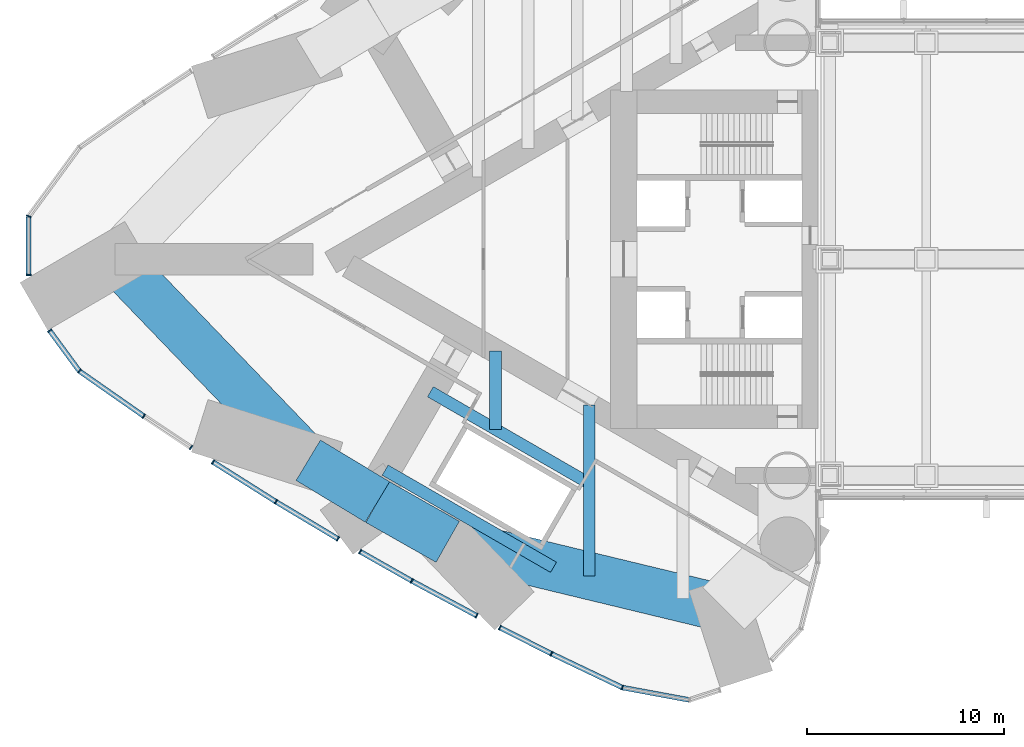
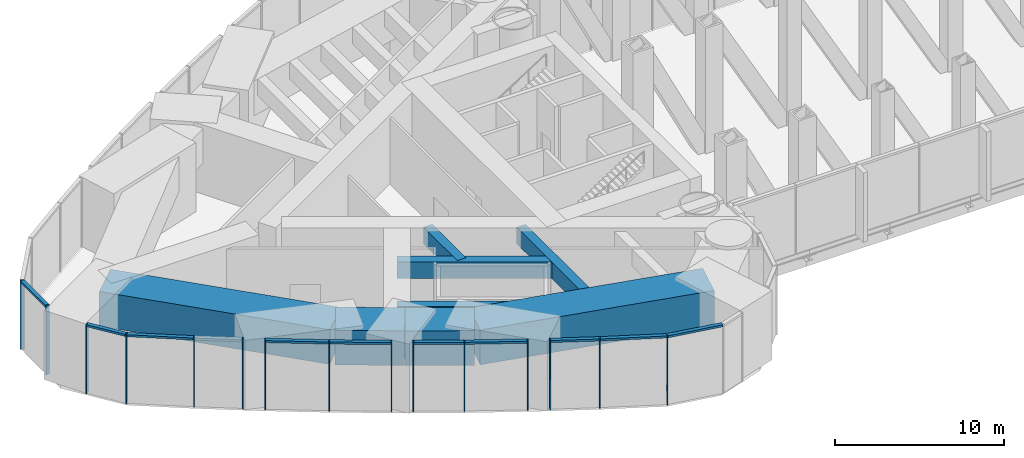
# One storey, part 2 of 21: 25 members, 8 beams, 5 elements without a shape of their own.
"""IFC4 building model written with IfcOpenShell, lengths in metres."""

from ifc_helpers import new_model, si_unit, direction, frame, origin, origin_2d, place, context, subcontext, project, spatial, rectangle, hollow_rectangle, extrude, material, material_profile, profile_set, type_object, element, aggregate, save


model = new_model("IFC4")

# Units and contexts
model_context = context("Model", 3, precision=1e-05, world=origin(), true_north=direction((0.0, 1.0)))
body_context = subcontext(model_context, "Body", "Model", "MODEL_VIEW")
ifc_project = project(units=[si_unit("LENGTHUNIT", "METRE"), si_unit("AREAUNIT", "SQUARE_METRE"), si_unit("VOLUMEUNIT", "CUBIC_METRE"), si_unit("PLANEANGLEUNIT", "RADIAN"), si_unit("MASSUNIT", "GRAM", prefix="KILO")], contexts=[model_context])

# Site, building, storey
site_placement = place(None, origin())
site = spatial("IfcSite", under=ifc_project, at=site_placement, CompositionType="ELEMENT")
building_placement = place(site_placement, origin())
building = spatial("IfcBuilding", under=site, at=building_placement, Name="Lancet Gate Hotel", CompositionType="ELEMENT")
storey_placement = place(building_placement, frame((0.0, 0.0, 205.300048828125)))
storey = spatial("IfcBuildingStorey", under=building, at=storey_placement, Name="L55", CompositionType="ELEMENT", Elevation=205.300048828125)

# Curtain wall, members
ifc_material_1 = material(Name="Aluminium curtain wall", Category="aluminium")
curtain_wall_type = type_object("IfcCurtainWallType", Name="Refuge storey louvred curtain wall", PredefinedType="USERDEFINED", material=ifc_material_1)
curtain_wall_1_placement = place(storey_placement, origin())
curtain_wall_1 = element("IfcCurtainWall", 1, at=curtain_wall_1_placement, inside=storey, type_object=curtain_wall_type, Name="T1 L55 curtain wall 5", ObjectType="LANTERN GLAZING", PredefinedType="USERDEFINED")
ifc_material_2 = material(Name="Aluminium mullion", Category="aluminium")
ifc_material_profile_1 = material_profile(ifc_material_2, rectangle(XDim=0.06494140625, YDim=0.25, at=origin_2d()), Name="MULLION 65x250")
ifc_profile_set_1 = profile_set([ifc_material_profile_1], Name="Aluminium mullion")
member_type_1 = type_object("IfcMemberType", Name="Aluminium mullion 65x250", PredefinedType="MULLION", material=ifc_profile_set_1)
member_1_placement = place(storey_placement, frame((-67.61572265625, 2.177490234375, 0.0), z_axis=(0.0, 0.0, 1.0), x_axis=(-0.368579794629, -0.929596113907, 0.0)))
member_1 = element("IfcMember", 2, at=member_1_placement, type_object=member_type_1, Name="T1 L55 curtain wall 5 mullion 4", PredefinedType="MULLION", context=body_context, shape_type="SweptSolid", body=[
    extrude(rectangle(XDim=0.06494140625, YDim=0.25, at=origin_2d()), origin(), (0.0, 0.0, 1.0), 5.0),
])
member_2_placement = place(storey_placement, frame((-67.61572265625, -0.80517578125, 0.0), z_axis=(0.0, 0.0, 1.0), x_axis=(0.0, -1.0, 0.0)))
member_2 = element("IfcMember", 3, at=member_2_placement, type_object=member_type_1, Name="T1 L55 curtain wall 5 mullion 5", PredefinedType="MULLION", context=body_context, shape_type="SweptSolid", body=[
    extrude(rectangle(XDim=0.06494140625, YDim=0.25, at=origin_2d()), origin(), (0.0, 0.0, 1.0), 5.0),
])

curtain_wall_2_placement = place(storey_placement, origin())
curtain_wall_2 = element("IfcCurtainWall", 4, at=curtain_wall_2_placement, inside=storey, type_object=curtain_wall_type, Name="T1 L55 curtain wall 6", ObjectType="LANTERN GLAZING", PredefinedType="USERDEFINED")
member_3_placement = place(storey_placement, frame((-66.551025390625, -3.629638671875, 0.0), z_axis=(0.0, 0.0, 1.0), x_axis=(0.591299785592, -0.806451835858, 0.0)))
member_3 = element("IfcMember", 5, at=member_3_placement, type_object=member_type_1, Name="T1 L55 curtain wall 6 mullion 1", PredefinedType="MULLION", context=body_context, shape_type="SweptSolid", body=[
    extrude(rectangle(XDim=0.06494140625, YDim=0.25, at=origin_2d()), origin(), (0.0, 0.0, 1.0), 5.0),
])
member_4_placement = place(storey_placement, frame((-65.040283203125, -5.68994140625, 0.0), z_axis=(0.0, 0.0, 1.0), x_axis=(0.740077220018, -0.672521901807, 0.0)))
member_4 = element("IfcMember", 6, at=member_4_placement, type_object=member_type_1, Name="T1 L55 curtain wall 6 mullion 2", PredefinedType="MULLION", context=body_context, shape_type="SweptSolid", body=[
    extrude(rectangle(XDim=0.06494140625, YDim=0.25, at=origin_2d()), origin(), (0.0, 0.0, 1.0), 5.0),
])
member_5_placement = place(storey_placement, frame((-61.7626953125, -7.980712890625, 0.0), z_axis=(0.0, 0.0, 1.0), x_axis=(0.825232844687, -0.564792662886, 0.0)))
member_5 = element("IfcMember", 7, at=member_5_placement, type_object=member_type_1, Name="T1 L55 curtain wall 6 mullion 3", PredefinedType="MULLION", context=body_context, shape_type="SweptSolid", body=[
    extrude(rectangle(XDim=0.06494140625, YDim=0.25, at=origin_2d()), origin(), (0.0, 0.0, 1.0), 5.0),
])
member_6_placement = place(storey_placement, frame((-59.3642578125, -9.57470703125, 0.0), z_axis=(0.0, 0.0, 1.0), x_axis=(0.832879255498, -0.553454736867, 0.0)))
member_6 = element("IfcMember", 8, at=member_6_placement, type_object=member_type_1, Name="T1 L55 curtain wall 6 mullion 4", PredefinedType="MULLION", context=body_context, shape_type="SweptSolid", body=[
    extrude(rectangle(XDim=0.06494140625, YDim=0.25, at=origin_2d()), origin(), (0.0, 0.0, 1.0), 5.0),
])

curtain_wall_3_placement = place(storey_placement, origin())
curtain_wall_3 = element("IfcCurtainWall", 9, at=curtain_wall_3_placement, inside=storey, type_object=curtain_wall_type, Name="T1 L55 curtain wall 7", ObjectType="LANTERN GLAZING", PredefinedType="USERDEFINED")
member_7_placement = place(storey_placement, frame((-58.25048828125, -10.30859375, 0.0), z_axis=(0.0, 0.0, 1.0), x_axis=(0.845666871497, -0.533711103925, 0.0)))
member_7 = element("IfcMember", 10, at=member_7_placement, type_object=member_type_1, Name="T1 L55 curtain wall 7 mullion 1", PredefinedType="MULLION", context=body_context, shape_type="SweptSolid", body=[
    extrude(rectangle(XDim=0.06494140625, YDim=0.25, at=origin_2d()), origin(), (0.0, 0.0, 1.0), 5.0),
])
member_8_placement = place(storey_placement, frame((-55.05029296875, -12.328369140625, 0.0), z_axis=(0.0, 0.0, 1.0), x_axis=(0.851797072513, -0.523871880576, 0.0)))
member_8 = element("IfcMember", 11, at=member_8_placement, type_object=member_type_1, Name="T1 L55 curtain wall 7 mullion 2", PredefinedType="MULLION", context=body_context, shape_type="SweptSolid", body=[
    extrude(rectangle(XDim=0.06494140625, YDim=0.25, at=origin_2d()), origin(), (0.0, 0.0, 1.0), 5.0),
])
member_9_placement = place(storey_placement, frame((-51.895751953125, -14.217041015625, 0.0), z_axis=(0.0, 0.0, 1.0), x_axis=(0.857986551132, -0.51367215038, 0.0)))
member_9 = element("IfcMember", 12, at=member_9_placement, type_object=member_type_1, Name="T1 L55 curtain wall 7 mullion 3", PredefinedType="MULLION", context=body_context, shape_type="SweptSolid", body=[
    extrude(rectangle(XDim=0.06494140625, YDim=0.25, at=origin_2d()), origin(), (0.0, 0.0, 1.0), 5.0),
])

curtain_wall_4_placement = place(storey_placement, origin())
curtain_wall_4 = element("IfcCurtainWall", 13, at=curtain_wall_4_placement, inside=storey, type_object=curtain_wall_type, Name="T1 L55 curtain wall 8", ObjectType="LANTERN GLAZING", PredefinedType="USERDEFINED")
member_10_placement = place(storey_placement, frame((-50.7734375, -14.8623046875, 0.0), z_axis=(0.0, 0.0, 1.0), x_axis=(0.869831477496, -0.493348964484, 0.0)))
member_10 = element("IfcMember", 14, at=member_10_placement, type_object=member_type_1, Name="T1 L55 curtain wall 8 mullion 1", PredefinedType="MULLION", context=body_context, shape_type="SweptSolid", body=[
    extrude(rectangle(XDim=0.06494140625, YDim=0.25, at=origin_2d()), origin(), (0.0, 0.0, 1.0), 5.0),
])
member_11_placement = place(storey_placement, frame((-48.140869140625, -16.355224609375, 0.0), z_axis=(0.0, 0.0, 1.0), x_axis=(0.876172978452, -0.481996796494, 0.0)))
member_11 = element("IfcMember", 15, at=member_11_placement, type_object=member_type_1, Name="T1 L55 curtain wall 8 mullion 2", PredefinedType="MULLION", context=body_context, shape_type="SweptSolid", body=[
    extrude(rectangle(XDim=0.06494140625, YDim=0.25, at=origin_2d()), origin(), (0.0, 0.0, 1.0), 5.0),
])
member_12_placement = place(storey_placement, frame((-44.8447265625, -18.123779296875, 0.0), z_axis=(0.0, 0.0, 1.0), x_axis=(0.881195096384, -0.472752791751, 0.0)))
member_12 = element("IfcMember", 16, at=member_12_placement, type_object=member_type_1, Name="T1 L55 curtain wall 8 mullion 3", PredefinedType="MULLION", context=body_context, shape_type="SweptSolid", body=[
    extrude(rectangle(XDim=0.06494140625, YDim=0.25, at=origin_2d()), origin(), (0.0, 0.0, 1.0), 5.0),
])

curtain_wall_5_placement = place(storey_placement, origin())
curtain_wall_5 = element("IfcCurtainWall", 17, at=curtain_wall_5_placement, inside=storey, type_object=curtain_wall_type, Name="T1 L55 curtain wall 9", ObjectType="LANTERN GLAZING", PredefinedType="USERDEFINED")
member_13_placement = place(storey_placement, frame((-43.6728515625, -18.72412109375, 0.0), z_axis=(0.0, 0.0, 1.0), x_axis=(0.892071119911, -0.451895028762, 0.0)))
member_13 = element("IfcMember", 18, at=member_13_placement, type_object=member_type_1, Name="T1 L55 curtain wall 9 mullion 1", PredefinedType="MULLION", context=body_context, shape_type="SweptSolid", body=[
    extrude(rectangle(XDim=0.06494140625, YDim=0.25, at=origin_2d()), origin(), (0.0, 0.0, 1.0), 5.0),
])
member_14_placement = place(storey_placement, frame((-41.0498046875, -20.052978515625, 0.0), z_axis=(0.0, 0.0, 1.0), x_axis=(0.898114902915, -0.439760868156, 0.0)))
member_14 = element("IfcMember", 19, at=member_14_placement, type_object=member_type_1, Name="T1 L55 curtain wall 9 mullion 2", PredefinedType="MULLION", context=body_context, shape_type="SweptSolid", body=[
    extrude(rectangle(XDim=0.06494140625, YDim=0.25, at=origin_2d()), origin(), (0.0, 0.0, 1.0), 5.0),
])
member_15_placement = place(storey_placement, frame((-37.44091796875, -21.775634765625, 0.0), z_axis=(0.0, 0.0, 1.0), x_axis=(0.948119321052, -0.317914694609, 0.0)))
member_15 = element("IfcMember", 20, at=member_15_placement, type_object=member_type_1, Name="T1 L55 curtain wall 9 mullion 3", PredefinedType="MULLION", context=body_context, shape_type="SweptSolid", body=[
    extrude(rectangle(XDim=0.06494140625, YDim=0.25, at=origin_2d()), origin(), (0.0, 0.0, 1.0), 5.0),
])

# Member
ifc_material_3 = material(Name="Aluminium transom", Category="aluminium")
ifc_material_profile_2 = material_profile(ifc_material_3, rectangle(XDim=0.25, YDim=0.14990234375, at=origin_2d()), Name="TRANSOM 250x150")
ifc_profile_set_2 = profile_set([ifc_material_profile_2], Name="Aluminium transom")
member_type_2 = type_object("IfcMemberType", Name="Aluminium transom 250x150", PredefinedType="USERDEFINED", material=ifc_profile_set_2)
member_16_placement = place(storey_placement, frame((-67.61572265625, 2.14501953125, 4.925048828125), z_axis=(0.0, -1.0, 0.0), x_axis=(1.0, 0.0, 0.0)))
member_16 = element("IfcMember", 21, at=member_16_placement, type_object=member_type_2, Name="T1 L55 curtain wall 5 transom 4", ObjectType="TRANSOM", PredefinedType="USERDEFINED", context=body_context, shape_type="SweptSolid", body=[
    extrude(rectangle(XDim=0.25, YDim=0.14990234375, at=origin_2d()), origin(), (0.0, 0.0, 1.0), 2.917724609375),
])

aggregate(curtain_wall_1, [member_1, member_2, member_16])

member_17_placement = place(storey_placement, frame((-66.53173828125, -3.656005859375, 4.925048828125), z_axis=(0.591350909026, -0.806414349075, 0.0), x_axis=(0.806414349075, 0.591350909026, 0.0)))
member_17 = element("IfcMember", 22, at=member_17_placement, type_object=member_type_2, Name="T1 L55 curtain wall 6 transom 1", ObjectType="TRANSOM", PredefinedType="USERDEFINED", context=body_context, shape_type="SweptSolid", body=[
    extrude(rectangle(XDim=0.25, YDim=0.14990234375, at=origin_2d()), origin(), (0.0, 0.0, 1.0), 2.489501953125),
])

member_18_placement = place(storey_placement, frame((-65.013671875, -5.70849609375, 4.925048828125), z_axis=(0.819636985462, -0.572883244704, 0.0), x_axis=(0.572883244704, 0.819636985462, 0.0)))
member_18 = element("IfcMember", 23, at=member_18_placement, type_object=member_type_2, Name="T1 L55 curtain wall 6 transom 2", ObjectType="TRANSOM", PredefinedType="USERDEFINED", context=body_context, shape_type="SweptSolid", body=[
    extrude(rectangle(XDim=0.25, YDim=0.14990234375, at=origin_2d()), origin(), (0.0, 0.0, 1.0), 3.933837890625),
])

aggregate(curtain_wall_2, [member_3, member_4, member_5, member_6, member_17, member_18])

member_19_placement = place(storey_placement, frame((-58.22314453125, -10.325927734375, 4.925048828125), z_axis=(0.845655759396, -0.533728710677, 0.0), x_axis=(0.533728710677, 0.845655759396, 0.0)))
member_19 = element("IfcMember", 24, at=member_19_placement, type_object=member_type_2, Name="T1 L55 curtain wall 7 transom 1", ObjectType="TRANSOM", PredefinedType="USERDEFINED", context=body_context, shape_type="SweptSolid", body=[
    extrude(rectangle(XDim=0.25, YDim=0.14990234375, at=origin_2d()), origin(), (0.0, 0.0, 1.0), 3.71923828125),
])

member_20_placement = place(storey_placement, frame((-55.0224609375, -12.344970703125, 4.925048828125), z_axis=(0.857963732288, -0.513710262774, 0.0), x_axis=(0.513710262774, 0.857963732288, 0.0)))
member_20 = element("IfcMember", 25, at=member_20_placement, type_object=member_type_2, Name="T1 L55 curtain wall 7 transom 2", ObjectType="TRANSOM", PredefinedType="USERDEFINED", context=body_context, shape_type="SweptSolid", body=[
    extrude(rectangle(XDim=0.25, YDim=0.14990234375, at=origin_2d()), origin(), (0.0, 0.0, 1.0), 3.61181640625),
])

aggregate(curtain_wall_3, [member_7, member_8, member_9, member_19, member_20])

member_21_placement = place(storey_placement, frame((-50.7451171875, -14.878173828125, 4.925048828125), z_axis=(0.869806404076, -0.493393169216, 0.0), x_axis=(0.493393169216, 0.869806404076, 0.0)))
member_21 = element("IfcMember", 26, at=member_21_placement, type_object=member_type_2, Name="T1 L55 curtain wall 8 transom 1", ObjectType="TRANSOM", PredefinedType="USERDEFINED", context=body_context, shape_type="SweptSolid", body=[
    extrude(rectangle(XDim=0.25, YDim=0.14990234375, at=origin_2d()), origin(), (0.0, 0.0, 1.0), 2.96142578125),
])

member_22_placement = place(storey_placement, frame((-48.1123046875, -16.37060546875, 4.925048828125), z_axis=(0.881184564391, -0.472772422502, 0.0), x_axis=(0.472772422502, 0.881184564391, 0.0)))
member_22 = element("IfcMember", 27, at=member_22_placement, type_object=member_type_2, Name="T1 L55 curtain wall 8 transom 2", ObjectType="TRANSOM", PredefinedType="USERDEFINED", context=body_context, shape_type="SweptSolid", body=[
    extrude(rectangle(XDim=0.25, YDim=0.14990234375, at=origin_2d()), origin(), (0.0, 0.0, 1.0), 3.67578125),
])

aggregate(curtain_wall_4, [member_10, member_11, member_12, member_21, member_22])

member_23_placement = place(storey_placement, frame((-43.643798828125, -18.73876953125, 4.925048828125), z_axis=(0.892071375921, -0.451894523382, 0.0), x_axis=(0.451894523382, 0.892071375921, 0.0)))
member_23 = element("IfcMember", 28, at=member_23_placement, type_object=member_type_2, Name="T1 L55 curtain wall 9 transom 1", ObjectType="TRANSOM", PredefinedType="USERDEFINED", context=body_context, shape_type="SweptSolid", body=[
    extrude(rectangle(XDim=0.25, YDim=0.14990234375, at=origin_2d()), origin(), (0.0, 0.0, 1.0), 2.875244140625),
])

member_24_placement = place(storey_placement, frame((-41.0205078125, -20.06689453125, 4.925048828125), z_axis=(0.902468975385, -0.430754858902, 0.0), x_axis=(0.430754858902, 0.902468975385, 0.0)))
member_24 = element("IfcMember", 29, at=member_24_placement, type_object=member_type_2, Name="T1 L55 curtain wall 9 transom 2", ObjectType="TRANSOM", PredefinedType="USERDEFINED", context=body_context, shape_type="SweptSolid", body=[
    extrude(rectangle(XDim=0.25, YDim=0.14990234375, at=origin_2d()), origin(), (0.0, 0.0, 1.0), 3.93408203125),
])

member_25_placement = place(storey_placement, frame((-37.408935546875, -21.781494140625, 4.925048828125), z_axis=(0.983286757871, -0.182063592724, 0.0), x_axis=(0.182063592724, 0.983286757871, 0.0)))
member_25 = element("IfcMember", 30, at=member_25_placement, type_object=member_type_2, Name="T1 L55 curtain wall 9 transom 3", ObjectType="TRANSOM", PredefinedType="USERDEFINED", context=body_context, shape_type="SweptSolid", body=[
    extrude(rectangle(XDim=0.25, YDim=0.14990234375, at=origin_2d()), origin(), (0.0, 0.0, 1.0), 3.406005859375),
])

aggregate(curtain_wall_5, [member_13, member_14, member_15, member_23, member_24, member_25])

# Beams
ifc_material_4 = material(Name="Steel S460QL", Category="steel")
ifc_material_profile_3 = material_profile(ifc_material_4, hollow_rectangle(XDim=0.60009765625, YDim=1.199951171875, WallThickness=0.050048828125, at=origin_2d()), Name="BOX 1200x600x50")
ifc_profile_set_3 = profile_set([ifc_material_profile_3], Name="Steel S460QL")
beam_type_1 = type_object("IfcBeamType", Name="Refuge floor beam BOX 1200x600x50", PredefinedType="BEAM", material=ifc_profile_set_3)
beam_1_placement = place(storey_placement, frame((-39.122314453125, -7.41650390625, 4.14990234375), z_axis=(0.0, -1.0, 0.0), x_axis=(1.0, 0.0, 0.0)))
element("IfcBeam", 31, at=beam_1_placement, inside=storey, type_object=beam_type_1, Name="T1 floor beam F04N L55", PredefinedType="BEAM", context=body_context, shape_type="SweptSolid", body=[
    extrude(hollow_rectangle(XDim=0.60009765625, YDim=1.199951171875, WallThickness=0.050048828125, at=origin_2d()), origin(), (0.0, 0.0, 1.0), 8.683837890625),
])
beam_2_placement = place(storey_placement, frame((-43.891357421875, -4.663330078125, 4.14990234375), z_axis=(0.0, -1.0, 0.0), x_axis=(1.0, 0.0, 0.0)))
element("IfcBeam", 32, at=beam_2_placement, inside=storey, type_object=beam_type_1, Name="T1 floor beam F07NA L55", PredefinedType="BEAM", context=body_context, shape_type="SweptSolid", body=[
    extrude(hollow_rectangle(XDim=0.60009765625, YDim=1.199951171875, WallThickness=0.050048828125, at=origin_2d()), origin(), (0.0, 0.0, 1.0), 3.983642578125),
])
ifc_material_5 = material(Name="Concrete C50/60", Category="concrete")
ifc_material_profile_4 = material_profile(ifc_material_5, rectangle(XDim=2.39990234375, YDim=2.5, at=origin_2d()), Name="RC 2400x2500")
ifc_profile_set_4 = profile_set([ifc_material_profile_4], Name="Concrete C50/60")
beam_type_2 = type_object("IfcBeamType", Name="Tie ring beam RC 2400x2500", PredefinedType="SPANDREL", material=ifc_profile_set_4)
beam_3_placement = place(storey_placement, frame((-63.234375, 0.0, 3.5), z_axis=(0.693134527053, -0.720808245934, 0.0), x_axis=(0.720808245934, 0.693134527053, 0.0)))
element("IfcBeam", 33, at=beam_3_placement, inside=storey, type_object=beam_type_2, Name="T1 tie ring beam RG1 L55", PredefinedType="SPANDREL", context=body_context, shape_type="SweptSolid", body=[
    extrude(rectangle(XDim=2.39990234375, YDim=2.5, at=origin_2d()), origin(), (0.0, 0.0, 1.0), 14.17724609375),
])
for number, where, z_axis, x_axis, name in (
    (34, (-53.40771484375, -10.218994140625, 3.5), (0.856358061538, -0.516382484636, 0.0), (0.516382484636, 0.856358061538, 0.0), "T1 tie ring beam RG1 L55"),
    (35, (-49.89013671875, -12.340087890625, 3.5), (0.869978841992, -0.493089053301, 0.0), (0.493089053301, 0.869978841992, 0.0), "T1 tie ring beam RG1 L55"),
):
    element("IfcBeam", number, at=place(storey_placement, frame(where, z_axis=z_axis, x_axis=x_axis)), inside=storey, type_object=beam_type_2, Name=name, PredefinedType="SPANDREL", context=body_context, shape_type="SweptSolid", body=[
        extrude(rectangle(XDim=2.39990234375, YDim=2.5, at=origin_2d()), origin(), (0.0, 0.0, 1.0), 4.107666015625),
    ])
beam_4_placement = place(storey_placement, frame((-46.316650390625, -14.365478515625, 3.5), z_axis=(0.972132796948, -0.234430853556, 0.0), x_axis=(0.234430853556, 0.972132796948, 0.0)))
element("IfcBeam", 36, at=beam_4_placement, inside=storey, type_object=beam_type_2, Name="T1 tie ring beam RG1 L55", PredefinedType="SPANDREL", context=body_context, shape_type="SweptSolid", body=[
    extrude(rectangle(XDim=2.39990234375, YDim=2.5, at=origin_2d()), origin(), (0.0, 0.0, 1.0), 14.41748046875),
])
ifc_material_6 = material(Name="Steel S460QL", Category="steel")
ifc_material_profile_5 = material_profile(ifc_material_6, hollow_rectangle(XDim=0.60009765625, YDim=1.199951171875, WallThickness=0.050048828125, at=origin_2d()), Name="BOX 1200x600x50")
ifc_profile_set_5 = profile_set([ifc_material_profile_5], Name="Steel S460QL")
beam_type_3 = type_object("IfcBeamType", Name="Trimmer beam BOX 1200x600x50", PredefinedType="BEAM", material=ifc_profile_set_5)
beam_5_placement = place(storey_placement, frame((-39.122314453125, -11.400146484375, 4.14990234375), z_axis=(-0.866045206741, 0.499965698704, 0.0), x_axis=(-0.499965698704, -0.866045206741, 0.0)))
element("IfcBeam", 37, at=beam_5_placement, inside=storey, type_object=beam_type_3, Name="T1 trimmer beam TR01N L55", PredefinedType="BEAM", context=body_context, shape_type="SweptSolid", body=[
    extrude(hollow_rectangle(XDim=0.60009765625, YDim=1.199951171875, WallThickness=0.050048828125, at=origin_2d()), origin(), (0.0, 0.0, 1.0), 9.325439453125),
])
beam_6_placement = place(storey_placement, frame((-40.93994140625, -15.662109375, 4.14990234375), z_axis=(-0.866036247602, 0.499981217486, 0.0), x_axis=(-0.499981217486, -0.866036247602, 0.0)))
element("IfcBeam", 38, at=beam_6_placement, inside=storey, type_object=beam_type_3, Name="T1 trimmer beam TR02N L55", PredefinedType="BEAM", context=body_context, shape_type="SweptSolid", body=[
    extrude(hollow_rectangle(XDim=0.60009765625, YDim=1.199951171875, WallThickness=0.050048828125, at=origin_2d()), origin(), (0.0, 0.0, 1.0), 9.88232421875),
])

save(model, "model.ifc")
